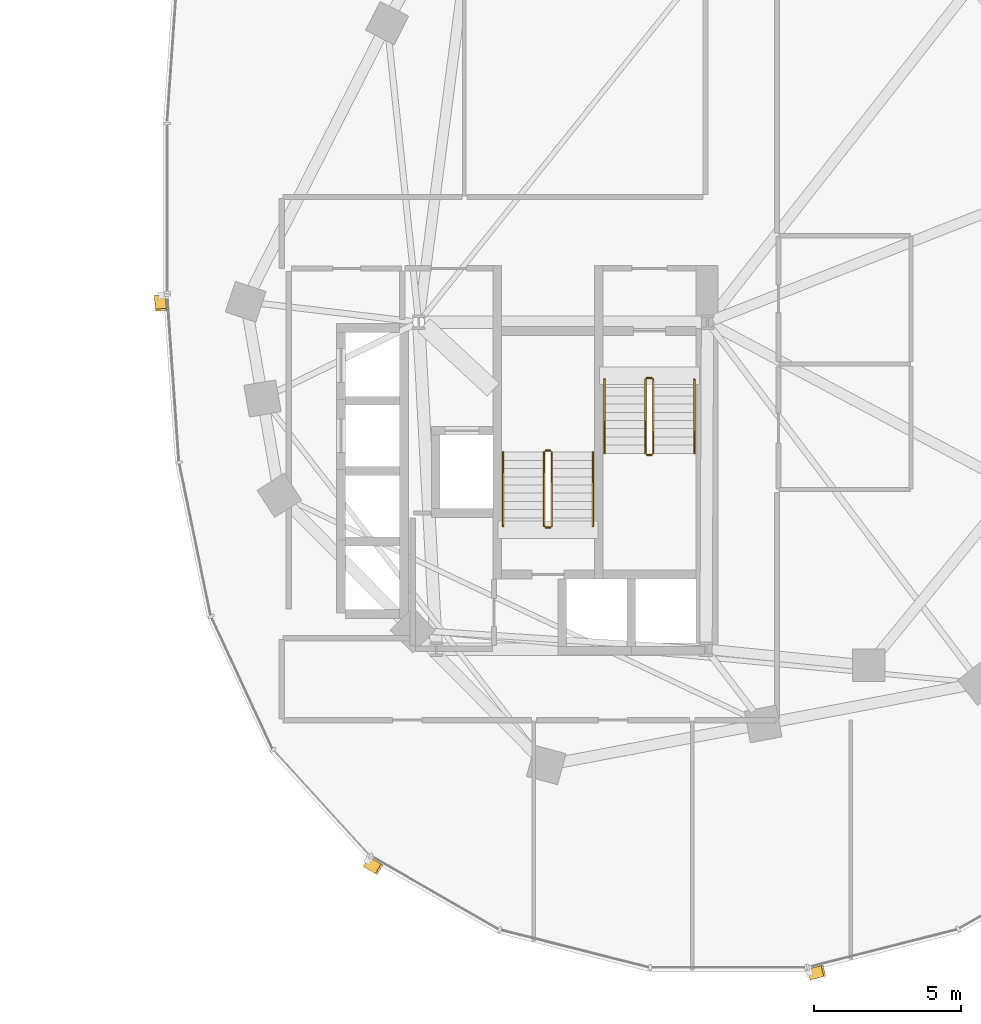
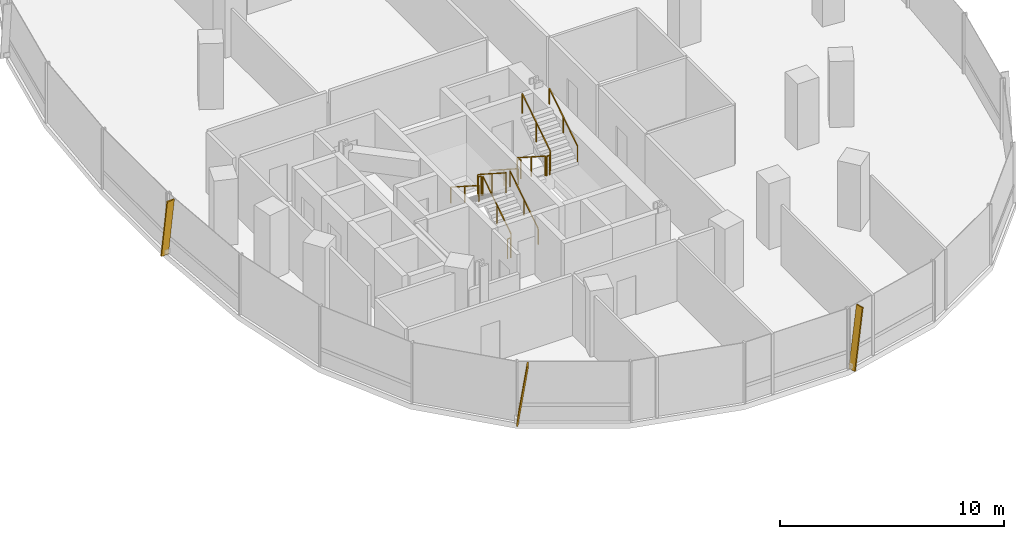
# One storey, part 19 of 20: 12 railings, 3 shading devices.
"""IFC4 building model written with IfcOpenShell, lengths in metres."""

from ifc_helpers import new_model, si_unit, direction, frame, origin, origin_2d, place, context, subcontext, project, spatial, rectangle, extrude, material, material_profile, profile_set, type_object, element, save


model = new_model("IFC4")

# Units and contexts
model_context = context("Model", 3, precision=1e-05, world=origin(), true_north=direction((0.0, 1.0)))
body_context = subcontext(model_context, "Body", "Model", "MODEL_VIEW")
ifc_project = project(units=[si_unit("LENGTHUNIT", "METRE"), si_unit("AREAUNIT", "SQUARE_METRE"), si_unit("VOLUMEUNIT", "CUBIC_METRE"), si_unit("PLANEANGLEUNIT", "RADIAN"), si_unit("MASSUNIT", "GRAM", prefix="KILO"), si_unit("THERMODYNAMICTEMPERATUREUNIT", "KELVIN"), si_unit("POWERUNIT", "WATT")], contexts=[model_context])

# Site, building, storey
site_placement = place(None, origin())
site = spatial("IfcSite", under=ifc_project, at=site_placement, CompositionType="ELEMENT")
building_placement = place(site_placement, origin())
building = spatial("IfcBuilding", under=site, at=building_placement, Name="Cundina Bronze Exchange", CompositionType="ELEMENT")
storey_placement = place(building_placement, frame((0.0, 0.0, 125.0)))
storey = spatial("IfcBuildingStorey", under=building, at=storey_placement, Name="L32", CompositionType="ELEMENT", Elevation=125.0)

# Railings
ifc_material_1 = material(Name="Steel ASTM A36 Painted", Category="steel")
railing_type_1 = type_object("IfcRailingType", Name="RLG-HND-900", PredefinedType="HANDRAIL", material=ifc_material_1)
railing_1_placement = place(storey_placement, frame((27.7900390625, -5.85009765625, 0.179931640625)))
element("IfcRailing", 1, at=railing_1_placement, inside=storey, type_object=railing_type_1, Name="L32 ST-E1 stair handrail 1", PredefinedType="HANDRAIL", context=body_context, shape_type="SweptSolid", body=[
    extrude(rectangle(XDim=0.048095703125, YDim=0.048095703125, at=origin_2d()), frame((0.0, 0.0, 0.8759765625), z_axis=(0.0, -0.841162588446, 0.540782303519), x_axis=(1.0, 0.0, 0.0)), (0.0, 0.0, 1.0), 2.995849609375),
    extrude(rectangle(XDim=0.0419921875, YDim=0.0419921875, at=origin_2d()), origin(), (0.0, 0.0, 1.0), 0.851806640625),
    extrude(rectangle(XDim=0.0419921875, YDim=0.0419921875, at=origin_2d()), frame((0.0, -1.260009765625, 0.81005859375)), (0.0, 0.0, 1.0), 0.851806640625),
    extrude(rectangle(XDim=0.0419921875, YDim=0.0419921875, at=origin_2d()), frame((0.0, -2.52001953125, 1.6201171875)), (0.0, 0.0, 1.0), 0.851806640625),
])
for number, where, name in (
    (2, (30.85009765625, -8.3701171875, 1.97998046875), "L32 ST-E1 stair handrail 2"),
    (3, (27.389892578125, -10.85009765625, 0.179931640625), "L32 ST-E2 stair handrail 1"),
):
    element("IfcRailing", number, at=place(storey_placement, frame(where)), inside=storey, type_object=railing_type_1, Name=name, PredefinedType="HANDRAIL", context=body_context, shape_type="SweptSolid", body=[
        extrude(rectangle(XDim=0.048095703125, YDim=0.048095703125, at=origin_2d()), frame((0.0, 0.0, 0.8759765625), z_axis=(0.0, 0.841162588446, 0.540782303519), x_axis=(-1.0, 0.0, 0.0)), (0.0, 0.0, 1.0), 2.995849609375),
        extrude(rectangle(XDim=0.0419921875, YDim=0.0419921875, at=origin_2d()), origin(), (0.0, 0.0, 1.0), 0.851806640625),
        extrude(rectangle(XDim=0.0419921875, YDim=0.0419921875, at=origin_2d()), frame((0.0, 1.260009765625, 0.81005859375)), (0.0, 0.0, 1.0), 0.851806640625),
        extrude(rectangle(XDim=0.0419921875, YDim=0.0419921875, at=origin_2d()), frame((0.0, 2.52001953125, 1.6201171875)), (0.0, 0.0, 1.0), 0.851806640625),
    ])
railing_2_placement = place(storey_placement, frame((24.330078125, -8.330078125, 1.97998046875)))
element("IfcRailing", 4, at=railing_2_placement, inside=storey, type_object=railing_type_1, Name="L32 ST-E2 stair handrail 2", PredefinedType="HANDRAIL", context=body_context, shape_type="SweptSolid", body=[
    extrude(rectangle(XDim=0.048095703125, YDim=0.048095703125, at=origin_2d()), frame((0.0, 0.0, 0.8759765625), z_axis=(0.0, -0.841162588446, 0.540782303519), x_axis=(1.0, 0.0, 0.0)), (0.0, 0.0, 1.0), 2.995849609375),
    extrude(rectangle(XDim=0.0419921875, YDim=0.0419921875, at=origin_2d()), origin(), (0.0, 0.0, 1.0), 0.851806640625),
    extrude(rectangle(XDim=0.0419921875, YDim=0.0419921875, at=origin_2d()), frame((0.0, -1.260009765625, 0.81005859375)), (0.0, 0.0, 1.0), 0.851806640625),
    extrude(rectangle(XDim=0.0419921875, YDim=0.0419921875, at=origin_2d()), frame((0.0, -2.52001953125, 1.6201171875)), (0.0, 0.0, 1.0), 0.851806640625),
])
railing_type_2 = type_object("IfcRailingType", Name="RLG-STG-1100", PredefinedType="GUARDRAIL", material=ifc_material_1)
railing_3_placement = place(storey_placement, frame((29.18994140625, -5.85009765625, 0.179931640625)))
element("IfcRailing", 5, at=railing_3_placement, inside=storey, type_object=railing_type_2, Name="L32 ST-E1 stair guard 1", PredefinedType="GUARDRAIL", context=body_context, shape_type="SweptSolid", body=[
    extrude(rectangle(XDim=0.048095703125, YDim=0.048095703125, at=origin_2d()), frame((0.0, 0.0, 1.076171875), z_axis=(0.0, -0.841162588446, 0.540782303519), x_axis=(1.0, 0.0, 0.0)), (0.0, 0.0, 1.0), 2.995849609375),
    extrude(rectangle(XDim=0.0419921875, YDim=0.0419921875, at=origin_2d()), origin(), (0.0, 0.0, 1.0), 1.052001953125),
    extrude(rectangle(XDim=0.0419921875, YDim=0.0419921875, at=origin_2d()), frame((0.0, -1.260009765625, 0.81005859375)), (0.0, 0.0, 1.0), 1.052001953125),
    extrude(rectangle(XDim=0.0419921875, YDim=0.0419921875, at=origin_2d()), frame((0.0, -2.52001953125, 1.6201171875)), (0.0, 0.0, 1.0), 1.052001953125),
])
railing_4_placement = place(storey_placement, frame((29.239990234375, -8.419921875, 1.800048828125)))
element("IfcRailing", 6, at=railing_4_placement, inside=storey, type_object=railing_type_2, Name="L32 ST-E1 stair guard 2", PredefinedType="GUARDRAIL", context=body_context, shape_type="SweptSolid", body=[
    extrude(rectangle(XDim=0.048095703125, YDim=0.048095703125, at=origin_2d()), frame((0.0, 0.0, 1.076171875), z_axis=(1.0, 0.0, 0.0), x_axis=(0.0, 1.0, 0.0)), (0.0, 0.0, 1.0), 0.159912109375),
    extrude(rectangle(XDim=0.0419921875, YDim=0.0419921875, at=origin_2d()), origin(), (0.0, 0.0, 1.0), 1.052001953125),
    extrude(rectangle(XDim=0.0419921875, YDim=0.0419921875, at=origin_2d()), frame((0.159912109375, 0.0, 0.0)), (0.0, 0.0, 1.0), 1.052001953125),
])
railing_5_placement = place(storey_placement, frame((29.449951171875, -8.3701171875, 1.97998046875)))
element("IfcRailing", 7, at=railing_5_placement, inside=storey, type_object=railing_type_2, Name="L32 ST-E1 stair guard 3", PredefinedType="GUARDRAIL", context=body_context, shape_type="SweptSolid", body=[
    extrude(rectangle(XDim=0.048095703125, YDim=0.048095703125, at=origin_2d()), frame((0.0, 0.0, 1.076171875), z_axis=(0.0, 0.841162588446, 0.540782303519), x_axis=(-1.0, 0.0, 0.0)), (0.0, 0.0, 1.0), 2.995849609375),
    extrude(rectangle(XDim=0.0419921875, YDim=0.0419921875, at=origin_2d()), origin(), (0.0, 0.0, 1.0), 1.052001953125),
    extrude(rectangle(XDim=0.0419921875, YDim=0.0419921875, at=origin_2d()), frame((0.0, 1.260009765625, 0.81005859375)), (0.0, 0.0, 1.0), 1.052001953125),
    extrude(rectangle(XDim=0.0419921875, YDim=0.0419921875, at=origin_2d()), frame((0.0, 2.52001953125, 1.6201171875)), (0.0, 0.0, 1.0), 1.052001953125),
])
railing_6_placement = place(storey_placement, frame((29.239990234375, -5.800048828125, 0.0)))
element("IfcRailing", 8, at=railing_6_placement, inside=storey, type_object=railing_type_2, Name="L32 ST-E1 stair guard 4", PredefinedType="GUARDRAIL", context=body_context, shape_type="SweptSolid", body=[
    extrude(rectangle(XDim=0.048095703125, YDim=0.048095703125, at=origin_2d()), frame((0.0, 0.0, 1.076171875), z_axis=(1.0, 0.0, 0.0), x_axis=(0.0, 1.0, 0.0)), (0.0, 0.0, 1.0), 0.159912109375),
    extrude(rectangle(XDim=0.0419921875, YDim=0.0419921875, at=origin_2d()), origin(), (0.0, 0.0, 1.0), 1.052001953125),
    extrude(rectangle(XDim=0.0419921875, YDim=0.0419921875, at=origin_2d()), frame((0.159912109375, 0.0, 0.0)), (0.0, 0.0, 1.0), 1.052001953125),
])
railing_7_placement = place(storey_placement, frame((25.989990234375, -10.85009765625, 0.179931640625)))
element("IfcRailing", 9, at=railing_7_placement, inside=storey, type_object=railing_type_2, Name="L32 ST-E2 stair guard 1", PredefinedType="GUARDRAIL", context=body_context, shape_type="SweptSolid", body=[
    extrude(rectangle(XDim=0.048095703125, YDim=0.048095703125, at=origin_2d()), frame((0.0, 0.0, 1.076171875), z_axis=(0.0, 0.841162588446, 0.540782303519), x_axis=(-1.0, 0.0, 0.0)), (0.0, 0.0, 1.0), 2.995849609375),
    extrude(rectangle(XDim=0.0419921875, YDim=0.0419921875, at=origin_2d()), origin(), (0.0, 0.0, 1.0), 1.052001953125),
    extrude(rectangle(XDim=0.0419921875, YDim=0.0419921875, at=origin_2d()), frame((0.0, 1.260009765625, 0.81005859375)), (0.0, 0.0, 1.0), 1.052001953125),
    extrude(rectangle(XDim=0.0419921875, YDim=0.0419921875, at=origin_2d()), frame((0.0, 2.52001953125, 1.6201171875)), (0.0, 0.0, 1.0), 1.052001953125),
])
railing_8_placement = place(storey_placement, frame((25.93994140625, -8.280029296875, 1.800048828125)))
element("IfcRailing", 10, at=railing_8_placement, inside=storey, type_object=railing_type_2, Name="L32 ST-E2 stair guard 2", PredefinedType="GUARDRAIL", context=body_context, shape_type="SweptSolid", body=[
    extrude(rectangle(XDim=0.048095703125, YDim=0.048095703125, at=origin_2d()), frame((0.0, 0.0, 1.076171875), z_axis=(-1.0, 0.0, 0.0), x_axis=(0.0, -1.0, 0.0)), (0.0, 0.0, 1.0), 0.159912109375),
    extrude(rectangle(XDim=0.0419921875, YDim=0.0419921875, at=origin_2d()), origin(), (0.0, 0.0, 1.0), 1.052001953125),
    extrude(rectangle(XDim=0.0419921875, YDim=0.0419921875, at=origin_2d()), frame((-0.159912109375, 0.0, 0.0)), (0.0, 0.0, 1.0), 1.052001953125),
])
railing_9_placement = place(storey_placement, frame((25.72998046875, -8.330078125, 1.97998046875)))
element("IfcRailing", 11, at=railing_9_placement, inside=storey, type_object=railing_type_2, Name="L32 ST-E2 stair guard 3", PredefinedType="GUARDRAIL", context=body_context, shape_type="SweptSolid", body=[
    extrude(rectangle(XDim=0.048095703125, YDim=0.048095703125, at=origin_2d()), frame((0.0, 0.0, 1.076171875), z_axis=(0.0, -0.841162588446, 0.540782303519), x_axis=(1.0, 0.0, 0.0)), (0.0, 0.0, 1.0), 2.995849609375),
    extrude(rectangle(XDim=0.0419921875, YDim=0.0419921875, at=origin_2d()), origin(), (0.0, 0.0, 1.0), 1.052001953125),
    extrude(rectangle(XDim=0.0419921875, YDim=0.0419921875, at=origin_2d()), frame((0.0, -1.260009765625, 0.81005859375)), (0.0, 0.0, 1.0), 1.052001953125),
    extrude(rectangle(XDim=0.0419921875, YDim=0.0419921875, at=origin_2d()), frame((0.0, -2.52001953125, 1.6201171875)), (0.0, 0.0, 1.0), 1.052001953125),
])
railing_10_placement = place(storey_placement, frame((25.93994140625, -10.89990234375, 0.0)))
element("IfcRailing", 12, at=railing_10_placement, inside=storey, type_object=railing_type_2, Name="L32 ST-E2 stair guard 4", PredefinedType="GUARDRAIL", context=body_context, shape_type="SweptSolid", body=[
    extrude(rectangle(XDim=0.048095703125, YDim=0.048095703125, at=origin_2d()), frame((0.0, 0.0, 1.076171875), z_axis=(-1.0, 0.0, 0.0), x_axis=(0.0, -1.0, 0.0)), (0.0, 0.0, 1.0), 0.159912109375),
    extrude(rectangle(XDim=0.0419921875, YDim=0.0419921875, at=origin_2d()), origin(), (0.0, 0.0, 1.0), 1.052001953125),
    extrude(rectangle(XDim=0.0419921875, YDim=0.0419921875, at=origin_2d()), frame((-0.159912109375, 0.0, 0.0)), (0.0, 0.0, 1.0), 1.052001953125),
])

# Shading devices
ifc_material_2 = material(Name="Anodised Bronze Aluminium 6063-T6", Category="aluminium")
ifc_material_profile = material_profile(ifc_material_2, rectangle(XDim=0.070068359375, YDim=0.3798828125, at=origin_2d()), Name="FIN70X380", Category="aluminium")
ifc_profile_set = profile_set([ifc_material_profile], Name="Anodised Bronze Aluminium 6063-T6")
shading_device_type = type_object("IfcShadingDeviceType", Name="SHD-FIN-BRZ380", PredefinedType="USERDEFINED", material=ifc_profile_set)
for number, where, z_axis, x_axis, name in (
    (13, (12.6259765625, -2.993896484375, 0.02001953125), (0.010224545828, -0.145292278041, 0.989335945271), (-0.069450050635, 0.986895284755, 0.145651595925), "L32 Diagonal Bronze Solar Fin 1"),
    (14, (19.685791015625, -22.314208984375, 0.02001953125), (0.126324692219, -0.072534823274, 0.989333498649), (-0.857958278167, 0.492634108109, 0.145668213594), "L32 Diagonal Bronze Solar Fin 5"),
    (15, (34.787353515625, -26.138427734375, 0.02001953125), (0.141217047268, 0.035711761166, 0.989334329575), (-0.95914051701, -0.242552848478, 0.145662570088), "L32 Diagonal Bronze Solar Fin 1"),
):
    element("IfcShadingDevice", number, at=place(storey_placement, frame(where, z_axis=z_axis, x_axis=x_axis)), inside=storey, type_object=shading_device_type, Name=name, ObjectType="FIN", PredefinedType="USERDEFINED", context=body_context, shape_type="SweptSolid", body=[
        extrude(rectangle(XDim=0.070068359375, YDim=0.3798828125, at=origin_2d()), origin(), (0.0, 0.0, 1.0), 3.295166015625),
    ])

save(model, "model.ifc")
